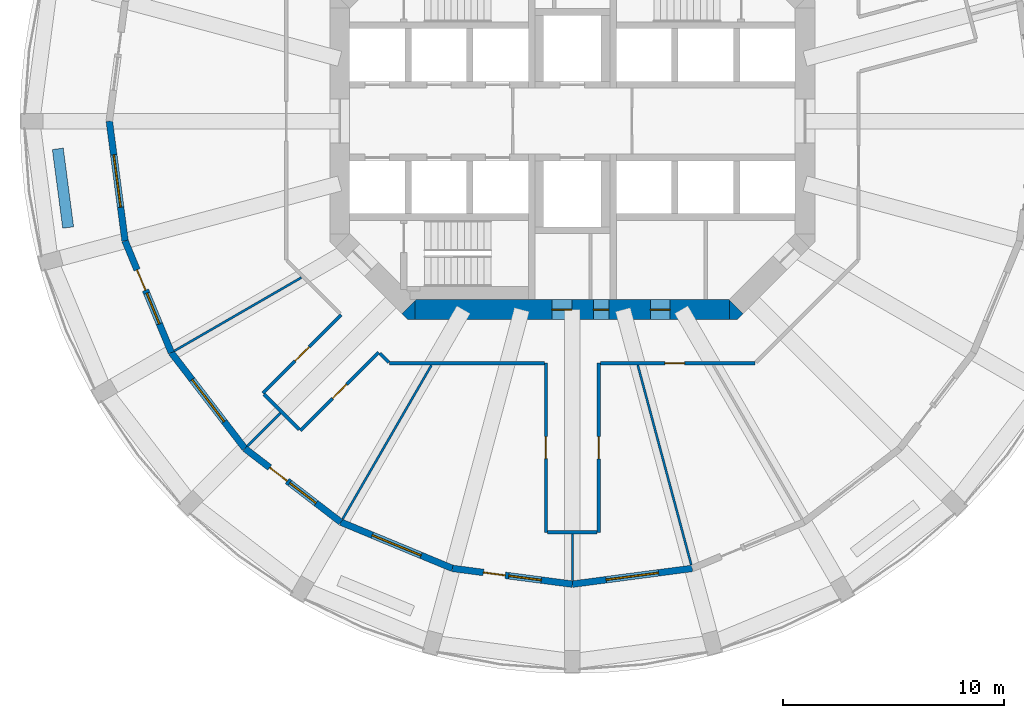
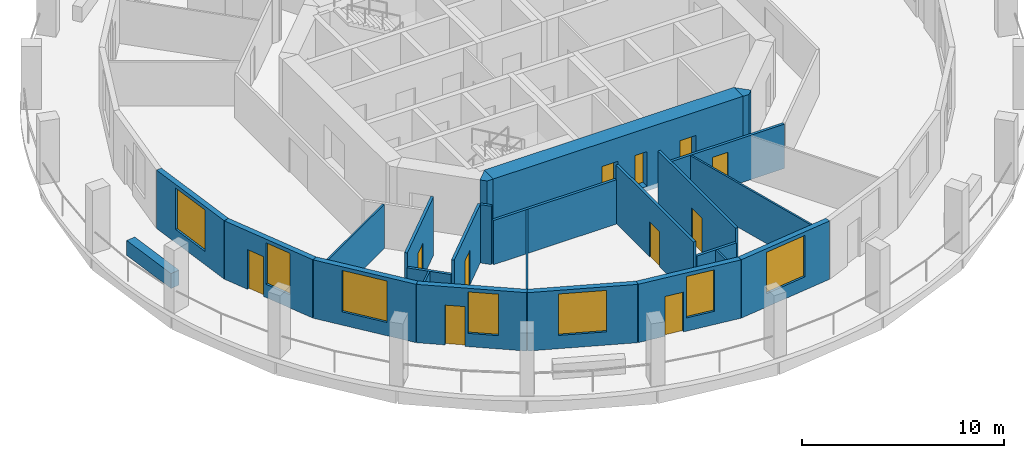
# One storey, part 2 of 8: 25 walls, 11 doors, 7 windows, 18 openings.
"""IFC4 building model written with IfcOpenShell, lengths in metres."""

from ifc_helpers import new_model, si_unit, direction, frame, frame_2d, origin, place, context, subcontext, project, spatial, polyline, rectangle, outline, extrude, material, layer, layer_set, type_object, element, fill, save


model = new_model("IFC4")

# Units and contexts
model_context = context("Model", 3, precision=1e-05, world=origin(), true_north=direction((0.0, 1.0)))
body_context = subcontext(model_context, "Body", "Model", "MODEL_VIEW")
ifc_project = project(units=[si_unit("LENGTHUNIT", "METRE"), si_unit("AREAUNIT", "SQUARE_METRE"), si_unit("VOLUMEUNIT", "CUBIC_METRE"), si_unit("PLANEANGLEUNIT", "RADIAN"), si_unit("MASSUNIT", "GRAM", prefix="KILO")], contexts=[model_context])

# Site, building, storey
site_placement = place(None, origin())
site = spatial("IfcSite", under=ifc_project, at=site_placement, CompositionType="ELEMENT")
building_placement = place(site_placement, origin())
building = spatial("IfcBuilding", under=site, at=building_placement, Name="Torre Triforio", CompositionType="ELEMENT")
storey_placement = place(building_placement, frame((0.0, 0.0, 135.199951171875)))
storey = spatial("IfcBuildingStorey", under=building, at=storey_placement, Name="L30", CompositionType="ELEMENT", Elevation=135.199951171875)

# Wall, openings, doors
ifc_material_1 = material(Name="Concrete C60", Category="concrete")
ifc_layer_1 = layer(ifc_material_1, 0.89990234375)
ifc_layer_set_1 = layer_set([ifc_layer_1], Name="Concrete C60")
wall_type_1 = type_object("IfcWallType", Name="Core wall 900 mm C60 EI 120", PredefinedType="SHEAR", material=ifc_layer_set_1)
wall_1_placement = place(storey_placement, frame((-7.1298828125, -8.550048828125, -0.280029296875), z_axis=(0.0, 0.0, 1.0), x_axis=(1.0, 0.0, 0.0)))
wall_1 = element("IfcWall", 1, at=wall_1_placement, inside=storey, type_object=wall_type_1, Name="Core wall", PredefinedType="SHEAR", context=body_context, shape_type="SweptSolid", body=[
    extrude(rectangle(XDim=14.259765625, YDim=0.89990234375, at=frame_2d((7.1298828125, 0.0))), origin(), (0.0, 0.0, 1.0), 3.800048828125),
])
opening_1_placement = place(wall_1_placement, frame((8.080078125, 0.0, 0.280029296875)))
opening_1 = element("IfcOpeningElement", 2, at=opening_1_placement, cuts=wall_1, Name="Opening RISER-S", PredefinedType="OPENING", context=body_context, shape_type="SweptSolid", body=[
    extrude(rectangle(XDim=0.699951171875, YDim=2.10009765625, at=frame_2d((0.35009765625, 1.050048828125))), frame((0.0, 0.4599609375, 0.0), z_axis=(0.0, -1.0, 0.0), x_axis=(1.0, 0.0, 0.0)), (0.0, 0.0, 1.0), 0.919921875),
])
opening_2_placement = place(wall_1_placement, frame((6.205078125, 0.0, 0.280029296875)))
opening_2 = element("IfcOpeningElement", 3, at=opening_2_placement, cuts=wall_1, Name="Opening SW-01B", PredefinedType="OPENING", context=body_context, shape_type="SweptSolid", body=[
    extrude(rectangle(XDim=0.89990234375, YDim=2.10009765625, at=frame_2d((0.449951171875, 1.050048828125))), frame((0.0, 0.4599609375, 0.0), z_axis=(0.0, -1.0, 0.0), x_axis=(1.0, 0.0, 0.0)), (0.0, 0.0, 1.0), 0.919921875),
])
opening_3_placement = place(wall_1_placement, frame((10.66748046875, 0.0, 0.280029296875)))
opening_3 = element("IfcOpeningElement", 4, at=opening_3_placement, cuts=wall_1, Name="Opening SE-01A", PredefinedType="OPENING", context=body_context, shape_type="SweptSolid", body=[
    extrude(rectangle(XDim=0.89990234375, YDim=2.10009765625, at=frame_2d((0.449951171875, 1.050048828125))), frame((0.0, 0.4599609375, 0.0), z_axis=(0.0, -1.0, 0.0), x_axis=(1.0, 0.0, 0.0)), (0.0, 0.0, 1.0), 0.919921875),
])
ifc_material_2 = material(Name="Hollow metal fire door leaf")
door_type_1 = type_object("IfcDoorType", Name="Riser door 700 x 2100 EI 60", OperationType="NOTDEFINED", PredefinedType="DOOR", material=ifc_material_2)
door_1_placement = place(opening_1_placement, origin())
door_1 = element("IfcDoor", 5, at=door_1_placement, inside=storey, type_object=door_type_1, Name="Core door RISER-S", OperationType="SINGLE_SWING_LEFT", OverallHeight=2.10009765625, OverallWidth=0.699951171875, PredefinedType="DOOR", context=body_context, shape_type="SweptSolid", body=[
    extrude(rectangle(XDim=0.699951171875, YDim=2.10009765625, at=frame_2d((0.35009765625, 1.050048828125))), frame((0.0, 0.02490234375, 0.0), z_axis=(0.0, -1.0, 0.0), x_axis=(1.0, 0.0, 0.0)), (0.0, 0.0, 1.0), 0.050048828125),
])
fill(opening_1, door_1)
door_type_2 = type_object("IfcDoorType", Name="Room door 900 x 2100 EI 60", OperationType="NOTDEFINED", PredefinedType="DOOR", material=ifc_material_2)
door_2_placement = place(opening_2_placement, origin())
door_2 = element("IfcDoor", 6, at=door_2_placement, inside=storey, type_object=door_type_2, Name="Core door SW-01", OperationType="SINGLE_SWING_LEFT", OverallHeight=2.10009765625, OverallWidth=0.89990234375, PredefinedType="DOOR", context=body_context, shape_type="SweptSolid", body=[
    extrude(rectangle(XDim=0.89990234375, YDim=2.10009765625, at=frame_2d((0.449951171875, 1.050048828125))), frame((0.0, 0.02490234375, 0.0), z_axis=(0.0, -1.0, 0.0), x_axis=(1.0, 0.0, 0.0)), (0.0, 0.0, 1.0), 0.050048828125),
])
fill(opening_2, door_2)
door_3_placement = place(opening_3_placement, origin())
door_3 = element("IfcDoor", 7, at=door_3_placement, inside=storey, type_object=door_type_2, Name="Core door SE-01", OperationType="SINGLE_SWING_LEFT", OverallHeight=2.10009765625, OverallWidth=0.89990234375, PredefinedType="DOOR", context=body_context, shape_type="SweptSolid", body=[
    extrude(rectangle(XDim=0.89990234375, YDim=2.10009765625, at=frame_2d((0.449951171875, 1.050048828125))), frame((0.0, 0.02490234375, 0.0), z_axis=(0.0, -1.0, 0.0), x_axis=(1.0, 0.0, 0.0)), (0.0, 0.0, 1.0), 0.050048828125),
])
fill(opening_3, door_3)

# Walls
wall_2_placement = place(storey_placement, frame((0.0, 0.0, -0.280029296875)))
element("IfcWall", 8, at=wall_2_placement, inside=storey, type_object=wall_type_1, Name="Core wall", PredefinedType="SHEAR", context=body_context, shape_type="SweptSolid", body=[
    extrude(outline(polyline([(-7.472900390625, -9.0), (-7.736328125, -8.736328125), (-7.1298828125, -8.1298828125), (-7.1298828125, -9.0), (-7.472900390625, -9.0)])), origin(), (0.0, 0.0, 1.0), 3.800048828125),
])
wall_3_placement = place(storey_placement, frame((0.0, 0.0, -0.280029296875)))
element("IfcWall", 9, at=wall_3_placement, inside=storey, type_object=wall_type_1, Name="Core wall", PredefinedType="SHEAR", context=body_context, shape_type="SweptSolid", body=[
    extrude(outline(polyline([(7.472900390625, -9.0), (7.1298828125, -9.0), (7.1298828125, -8.1298828125), (7.736328125, -8.736328125), (7.472900390625, -9.0)])), origin(), (0.0, 0.0, 1.0), 3.800048828125),
])
ifc_material_3 = material(Name="Plasterboard on metal studs")
ifc_layer_2 = layer(ifc_material_3, 0.14990234375)
ifc_layer_set_2 = layer_set([ifc_layer_2], Name="Plasterboard on metal studs")
wall_type_2 = type_object("IfcWallType", Name="Corridor and tenancy wall 150 mm EI 60", PredefinedType="PARTITIONING", material=ifc_layer_set_2)
wall_4_placement = place(storey_placement, frame((-12.39111328125, -13.982177734375, 0.0), z_axis=(0.0, 0.0, 1.0), x_axis=(-0.707106781187, 0.707106781187, 0.0)))
element("IfcWall", 10, at=wall_4_placement, inside=storey, type_object=wall_type_2, Name="Partition 1", PredefinedType="PARTITIONING", context=body_context, shape_type="SweptSolid", body=[
    extrude(rectangle(XDim=2.25, YDim=0.14990234375, at=frame_2d((1.125, 0.0))), origin(), (0.0, 0.0, 1.0), 2.670166015625),
])

# Wall, opening, door
wall_5_placement = place(storey_placement, frame((-14.03515625, -12.338134765625, 0.0), z_axis=(0.0, 0.0, 1.0), x_axis=(0.707106781187, 0.707106781187, 0.0)))
wall_5 = element("IfcWall", 11, at=wall_5_placement, inside=storey, type_object=wall_type_2, Name="Partition 2", PredefinedType="PARTITIONING", context=body_context, shape_type="SweptSolid", body=[
    extrude(rectangle(XDim=5.025634765625, YDim=0.14990234375, at=frame_2d((2.5126953125, 0.0))), origin(), (0.0, 0.0, 1.0), 3.52001953125),
])
opening_4_placement = place(wall_5_placement, frame((2.062744140625, 0.0, 0.0)))
opening_4 = element("IfcOpeningElement", 12, at=opening_4_placement, cuts=wall_5, Name="Opening D2-02", PredefinedType="OPENING", context=body_context, shape_type="SweptSolid", body=[
    extrude(rectangle(XDim=0.89990234375, YDim=2.10009765625, at=frame_2d((0.449951171875, 1.050048828125))), frame((0.0, 0.0849609375, 0.0), z_axis=(0.0, -1.0, 0.0), x_axis=(1.0, 0.0, 0.0)), (0.0, 0.0, 1.0), 0.169921875),
])
ifc_material_4 = material(Name="Timber", Category="wood")
door_type_3 = type_object("IfcDoorType", Name="Door 900 x 2100 single leaf EI 30", OperationType="NOTDEFINED", PredefinedType="DOOR", material=ifc_material_4)
door_4_placement = place(opening_4_placement, origin())
door_4 = element("IfcDoor", 13, at=door_4_placement, inside=storey, type_object=door_type_3, Name="Door D2-02", OperationType="SINGLE_SWING_LEFT", OverallHeight=2.10009765625, OverallWidth=0.89990234375, PredefinedType="DOOR", context=body_context, shape_type="SweptSolid", body=[
    extrude(rectangle(XDim=0.89990234375, YDim=2.10009765625, at=frame_2d((0.449951171875, 1.050048828125))), frame((0.0, 0.02490234375, 0.0), z_axis=(0.0, -1.0, 0.0), x_axis=(1.0, 0.0, 0.0)), (0.0, 0.0, 1.0), 0.050048828125),
])
fill(opening_4, door_4)

wall_6_placement = place(storey_placement, frame((8.291015625, -10.97509765625, 0.0), z_axis=(0.0, 0.0, 1.0), x_axis=(-1.0, 0.0, 0.0)))
wall_6 = element("IfcWall", 14, at=wall_6_placement, inside=storey, type_object=wall_type_2, Name="Partition 24", PredefinedType="PARTITIONING", context=body_context, shape_type="SweptSolid", body=[
    extrude(rectangle(XDim=7.01611328125, YDim=0.14990234375, at=frame_2d((3.508056640625, 0.0))), origin(), (0.0, 0.0, 1.0), 2.670166015625),
])
opening_5_placement = place(wall_6_placement, frame((3.198486328125, 0.0, 0.0)))
opening_5 = element("IfcOpeningElement", 15, at=opening_5_placement, cuts=wall_6, Name="Opening D2-06", PredefinedType="OPENING", context=body_context, shape_type="SweptSolid", body=[
    extrude(rectangle(XDim=0.89990234375, YDim=2.10009765625, at=frame_2d((0.449951171875, 1.050048828125))), frame((0.0, 0.0849609375, 0.0), z_axis=(0.0, -1.0, 0.0), x_axis=(1.0, 0.0, 0.0)), (0.0, 0.0, 1.0), 0.169921875),
])
door_5_placement = place(opening_5_placement, origin())
door_5 = element("IfcDoor", 16, at=door_5_placement, inside=storey, type_object=door_type_3, Name="Door D2-06", OperationType="SINGLE_SWING_LEFT", OverallHeight=2.10009765625, OverallWidth=0.89990234375, PredefinedType="DOOR", context=body_context, shape_type="SweptSolid", body=[
    extrude(rectangle(XDim=0.89990234375, YDim=2.10009765625, at=frame_2d((0.449951171875, 1.050048828125))), frame((0.0, 0.02490234375, 0.0), z_axis=(0.0, -1.0, 0.0), x_axis=(1.0, 0.0, 0.0)), (0.0, 0.0, 1.0), 0.050048828125),
])
fill(opening_5, door_5)

wall_7_placement = place(storey_placement, frame((1.199951171875, -10.97509765625, 0.0), z_axis=(0.0, 0.0, 1.0), x_axis=(0.0, -1.0, 0.0)))
wall_7 = element("IfcWall", 17, at=wall_7_placement, inside=storey, type_object=wall_type_2, Name="Partition 25", PredefinedType="PARTITIONING", context=body_context, shape_type="SweptSolid", body=[
    extrude(rectangle(XDim=7.673583984375, YDim=0.14990234375, at=frame_2d((3.8369140625, 0.0))), origin(), (0.0, 0.0, 1.0), 3.52001953125),
])
opening_6_placement = place(wall_7_placement, frame((3.3369140625, 0.0, 0.0)))
opening_6 = element("IfcOpeningElement", 18, at=opening_6_placement, cuts=wall_7, Name="Opening D2-05", PredefinedType="OPENING", context=body_context, shape_type="SweptSolid", body=[
    extrude(rectangle(XDim=1.0, YDim=2.10009765625, at=frame_2d((0.5, 1.050048828125))), frame((0.0, 0.0849609375, 0.0), z_axis=(0.0, -1.0, 0.0), x_axis=(1.0, 0.0, 0.0)), (0.0, 0.0, 1.0), 0.169921875),
])
door_type_4 = type_object("IfcDoorType", Name="Door 1000 x 2100 single leaf EI 30", OperationType="NOTDEFINED", PredefinedType="DOOR", material=ifc_material_4)
door_6_placement = place(opening_6_placement, origin())
door_6 = element("IfcDoor", 19, at=door_6_placement, inside=storey, type_object=door_type_4, Name="Door D2-05", OperationType="SINGLE_SWING_LEFT", OverallHeight=2.10009765625, OverallWidth=1.0, PredefinedType="DOOR", context=body_context, shape_type="SweptSolid", body=[
    extrude(rectangle(XDim=1.0, YDim=2.10009765625, at=frame_2d((0.5, 1.050048828125))), frame((0.0, 0.02490234375, 0.0), z_axis=(0.0, -1.0, 0.0), x_axis=(1.0, 0.0, 0.0)), (0.0, 0.0, 1.0), 0.050048828125),
])
fill(opening_6, door_6)

# Wall
wall_8_placement = place(storey_placement, frame((1.125, -18.648681640625, 0.0), z_axis=(0.0, 0.0, 1.0), x_axis=(-1.0, 0.0, 0.0)))
element("IfcWall", 20, at=wall_8_placement, inside=storey, type_object=wall_type_2, Name="Partition 26", PredefinedType="PARTITIONING", context=body_context, shape_type="SweptSolid", body=[
    extrude(rectangle(XDim=2.25, YDim=0.14990234375, at=frame_2d((1.125, 0.0))), origin(), (0.0, 0.0, 1.0), 2.670166015625),
])

# Wall, opening, door
wall_9_placement = place(storey_placement, frame((-1.199951171875, -18.648681640625, 0.0), z_axis=(0.0, 0.0, 1.0), x_axis=(0.0, 1.0, 0.0)))
wall_9 = element("IfcWall", 21, at=wall_9_placement, inside=storey, type_object=wall_type_2, Name="Partition 27", PredefinedType="PARTITIONING", context=body_context, shape_type="SweptSolid", body=[
    extrude(rectangle(XDim=7.673583984375, YDim=0.14990234375, at=frame_2d((3.8369140625, 0.0))), origin(), (0.0, 0.0, 1.0), 3.52001953125),
])
opening_7_placement = place(wall_9_placement, frame((3.3369140625, 0.0, 0.0)))
opening_7 = element("IfcOpeningElement", 22, at=opening_7_placement, cuts=wall_9, Name="Opening D2-04", PredefinedType="OPENING", context=body_context, shape_type="SweptSolid", body=[
    extrude(rectangle(XDim=1.0, YDim=2.10009765625, at=frame_2d((0.5, 1.050048828125))), frame((0.0, 0.0849609375, 0.0), z_axis=(0.0, -1.0, 0.0), x_axis=(1.0, 0.0, 0.0)), (0.0, 0.0, 1.0), 0.169921875),
])
door_7_placement = place(opening_7_placement, origin())
door_7 = element("IfcDoor", 23, at=door_7_placement, inside=storey, type_object=door_type_4, Name="Door D2-04", OperationType="SINGLE_SWING_LEFT", OverallHeight=2.10009765625, OverallWidth=1.0, PredefinedType="DOOR", context=body_context, shape_type="SweptSolid", body=[
    extrude(rectangle(XDim=1.0, YDim=2.10009765625, at=frame_2d((0.5, 1.050048828125))), frame((0.0, 0.02490234375, 0.0), z_axis=(0.0, -1.0, 0.0), x_axis=(1.0, 0.0, 0.0)), (0.0, 0.0, 1.0), 0.050048828125),
])
fill(opening_7, door_7)

# Walls
wall_10_placement = place(storey_placement, frame((-1.27490234375, -10.97509765625, 0.0), z_axis=(0.0, 0.0, 1.0), x_axis=(-1.0, 0.0, 0.0)))
element("IfcWall", 24, at=wall_10_placement, inside=storey, type_object=wall_type_2, Name="Partition 28", PredefinedType="PARTITIONING", context=body_context, shape_type="SweptSolid", body=[
    extrude(rectangle(XDim=7.01611328125, YDim=0.14990234375, at=frame_2d((3.508056640625, 0.0))), origin(), (0.0, 0.0, 1.0), 2.670166015625),
])
wall_11_placement = place(storey_placement, frame((-8.327880859375, -10.93798828125, 0.0), z_axis=(0.0, 0.0, 1.0), x_axis=(-0.707106781187, 0.707106781187, 0.0)))
element("IfcWall", 25, at=wall_11_placement, inside=storey, type_object=wall_type_2, Name="Partition 29", PredefinedType="PARTITIONING", context=body_context, shape_type="SweptSolid", body=[
    extrude(rectangle(XDim=0.57080078125, YDim=0.14990234375, at=frame_2d((0.285400390625, 0.0))), origin(), (0.0, 0.0, 1.0), 3.52001953125),
])

# Wall, opening, door
wall_12_placement = place(storey_placement, frame((-8.784423828125, -10.4814453125, 0.0), z_axis=(0.0, 0.0, 1.0), x_axis=(-0.707106781187, -0.707106781187, 0.0)))
wall_12 = element("IfcWall", 26, at=wall_12_placement, inside=storey, type_object=wall_type_2, Name="Partition 30", PredefinedType="PARTITIONING", context=body_context, shape_type="SweptSolid", body=[
    extrude(rectangle(XDim=5.025634765625, YDim=0.14990234375, at=frame_2d((2.5126953125, 0.0))), origin(), (0.0, 0.0, 1.0), 3.52001953125),
])
opening_8_placement = place(wall_12_placement, frame((2.062744140625, 0.0, 0.0)))
opening_8 = element("IfcOpeningElement", 27, at=opening_8_placement, cuts=wall_12, Name="Opening D2-03", PredefinedType="OPENING", context=body_context, shape_type="SweptSolid", body=[
    extrude(rectangle(XDim=0.89990234375, YDim=2.10009765625, at=frame_2d((0.449951171875, 1.050048828125))), frame((0.0, 0.0849609375, 0.0), z_axis=(0.0, -1.0, 0.0), x_axis=(1.0, 0.0, 0.0)), (0.0, 0.0, 1.0), 0.169921875),
])
door_8_placement = place(opening_8_placement, origin())
door_8 = element("IfcDoor", 28, at=door_8_placement, inside=storey, type_object=door_type_3, Name="Door D2-03", OperationType="SINGLE_SWING_LEFT", OverallHeight=2.10009765625, OverallWidth=0.89990234375, PredefinedType="DOOR", context=body_context, shape_type="SweptSolid", body=[
    extrude(rectangle(XDim=0.89990234375, YDim=2.10009765625, at=frame_2d((0.449951171875, 1.050048828125))), frame((0.0, 0.02490234375, 0.0), z_axis=(0.0, -1.0, 0.0), x_axis=(1.0, 0.0, 0.0)), (0.0, 0.0, 1.0), 0.050048828125),
])
fill(opening_8, door_8)

# Walls
ifc_layer_3 = layer(ifc_material_3, 0.10009765625)
ifc_layer_set_3 = layer_set([ifc_layer_3], Name="Plasterboard on metal studs")
wall_type_3 = type_object("IfcWallType", Name="Partition 100 mm board on metal studs", PredefinedType="PARTITIONING", material=ifc_layer_set_3)
wall_13_placement = place(storey_placement, frame((-12.294189453125, -7.097900390625, 0.0), z_axis=(0.0, 0.0, 1.0), x_axis=(-0.866010486135, -0.500025837236, 0.0)))
element("IfcWall", 29, at=wall_13_placement, inside=storey, type_object=wall_type_3, Name="Partition 40", PredefinedType="PARTITIONING", context=body_context, shape_type="SweptSolid", body=[
    extrude(rectangle(XDim=6.640869140625, YDim=0.10009765625, at=frame_2d((3.3203125, 0.0))), origin(), (0.0, 0.0, 1.0), 2.670166015625),
])
wall_14_placement = place(storey_placement, frame((-13.23974609375, -13.23974609375, 0.0), z_axis=(0.0, 0.0, 1.0), x_axis=(-0.707106781187, -0.707106781187, 0.0)))
element("IfcWall", 30, at=wall_14_placement, inside=storey, type_object=wall_type_3, Name="Partition 41", PredefinedType="PARTITIONING", context=body_context, shape_type="SweptSolid", body=[
    extrude(rectangle(XDim=2.113037109375, YDim=0.10009765625, at=frame_2d((1.056640625, 0.0))), origin(), (0.0, 0.0, 1.0), 2.670166015625),
])
wall_15_placement = place(storey_placement, frame((-6.393798828125, -11.07470703125, 0.0), z_axis=(0.0, 0.0, 1.0), x_axis=(-0.500024397361, -0.866011317503, 0.0)))
element("IfcWall", 31, at=wall_15_placement, inside=storey, type_object=wall_type_3, Name="Partition 42", PredefinedType="PARTITIONING", context=body_context, shape_type="SweptSolid", body=[
    extrude(rectangle(XDim=8.048828125, YDim=0.10009765625, at=frame_2d((4.0244140625, 0.0))), origin(), (0.0, 0.0, 1.0), 2.670166015625),
])
wall_16_placement = place(storey_placement, frame((0.0, -18.7236328125, 0.0), z_axis=(0.0, 0.0, 1.0), x_axis=(0.0, -1.0, 0.0)))
element("IfcWall", 32, at=wall_16_placement, inside=storey, type_object=wall_type_3, Name="Partition 43", PredefinedType="PARTITIONING", context=body_context, shape_type="SweptSolid", body=[
    extrude(rectangle(XDim=2.113037109375, YDim=0.10009765625, at=frame_2d((1.056640625, 0.0))), origin(), (0.0, 0.0, 1.0), 2.670166015625),
])
wall_17_placement = place(storey_placement, frame((2.964599609375, -11.064208984375, 0.0), z_axis=(0.0, 0.0, 1.0), x_axis=(0.258812392192, -0.965927608906, 0.0)))
element("IfcWall", 33, at=wall_17_placement, inside=storey, type_object=wall_type_3, Name="Partition 44", PredefinedType="PARTITIONING", context=body_context, shape_type="SweptSolid", body=[
    extrude(rectangle(XDim=9.382080078125, YDim=0.10009765625, at=frame_2d((4.69091796875, 0.0))), origin(), (0.0, 0.0, 1.0), 2.670166015625),
])
ifc_material_5 = material(Name="Limestone cladding", Category="masonry")
ifc_layer_4 = layer(ifc_material_5, 0.10009765625)
ifc_material_6 = material(Name="Concrete C40", Category="concrete")
ifc_layer_5 = layer(ifc_material_6, 0.39990234375)
ifc_layer_set_4 = layer_set([ifc_layer_4, ifc_layer_5], Name="Limestone cladding / Concrete C40")
wall_type_4 = type_object("IfcWallType", Name="Planter wall 500", PredefinedType="PARAPET", material=ifc_layer_set_4)
wall_18_placement = place(storey_placement, frame((-23.335693359375, -1.256591796875, 0.0), z_axis=(0.0, 0.0, 1.0), x_axis=(0.130542222659, -0.991442750795, 0.0)))
element("IfcWall", 34, at=wall_18_placement, inside=storey, type_object=wall_type_4, Name="Planter L30 bay 13", PredefinedType="PARAPET", context=body_context, shape_type="SweptSolid", body=[
    extrude(rectangle(XDim=3.60009765625, YDim=0.5, at=frame_2d((1.800048828125, 0.0))), origin(), (0.0, 0.0, 1.0), 0.900146484375),
])

# Wall, opening, window
ifc_layer_6 = layer(ifc_material_5, 0.10009765625)
ifc_layer_7 = layer(ifc_material_6, 0.199951171875)
ifc_layer_set_5 = layer_set([ifc_layer_6, ifc_layer_7], Name="Limestone cladding / Concrete C40")
wall_type_5 = type_object("IfcWallType", Name="Stone-faced composite wall 300", PredefinedType="STANDARD", material=ifc_layer_set_5)
wall_19_placement = place(storey_placement, frame((-21.0, 0.0, 0.0), z_axis=(0.0, 0.0, 1.0), x_axis=(0.130527087244, -0.991444743541, 0.0)))
wall_19 = element("IfcWall", 35, at=wall_19_placement, inside=storey, type_object=wall_type_5, Name="External wall L30 bay 13", PredefinedType="STANDARD", context=body_context, shape_type="SweptSolid", body=[
    extrude(rectangle(XDim=5.482177734375, YDim=0.300048828125, at=frame_2d((2.7412109375, 0.0))), origin(), (0.0, 0.0, 1.0), 3.52001953125),
])
opening_9_placement = place(wall_19_placement, frame((1.541015625, 0.0, 0.800048828125)))
opening_9 = element("IfcOpeningElement", 36, at=opening_9_placement, cuts=wall_19, Name="Opening D2-W13", PredefinedType="OPENING", context=body_context, shape_type="SweptSolid", body=[
    extrude(rectangle(XDim=2.39990234375, YDim=2.5, at=frame_2d((1.199951171875, 1.25))), frame((0.0, 0.159912109375, 0.0), z_axis=(0.0, -1.0, 0.0), x_axis=(1.0, 0.0, 0.0)), (0.0, 0.0, 1.0), 0.320068359375),
])
ifc_material_7 = material(Name="Aluminium frame with clear double glazing", Category="aluminium")
window_type_1 = type_object("IfcWindowType", Name="Punched window 2400 x 2500", PartitioningType="DOUBLE_PANEL_VERTICAL", PredefinedType="WINDOW", material=ifc_material_7)
window_1_placement = place(opening_9_placement, origin())
window_1 = element("IfcWindow", 37, at=window_1_placement, inside=storey, type_object=window_type_1, Name="Window EWN3 L30 bay 13", OverallHeight=2.5, OverallWidth=2.39990234375, PartitioningType="SINGLE_PANEL", PredefinedType="WINDOW", context=body_context, shape_type="SweptSolid", body=[
    extrude(rectangle(XDim=2.39990234375, YDim=2.5, at=frame_2d((1.199951171875, 1.25))), frame((0.0, 0.030029296875, 0.0), z_axis=(0.0, -1.0, 0.0), x_axis=(1.0, 0.0, 0.0)), (0.0, 0.0, 1.0), 0.06005859375),
])
fill(opening_9, window_1)

# Wall, openings, door, window
wall_20_placement = place(storey_placement, frame((-20.284423828125, -5.435302734375, 0.0), z_axis=(0.0, 0.0, 1.0), x_axis=(0.382688740813, -0.923877333662, 0.0)))
wall_20 = element("IfcWall", 38, at=wall_20_placement, inside=storey, type_object=wall_type_5, Name="External wall L30 bay 14", PredefinedType="STANDARD", context=body_context, shape_type="SweptSolid", body=[
    extrude(rectangle(XDim=5.48193359375, YDim=0.300048828125, at=frame_2d((2.740966796875, 0.0))), origin(), (0.0, 0.0, 1.0), 3.52001953125),
])
opening_10_placement = place(wall_20_placement, frame((1.416015625, 0.0, 0.0)))
opening_10 = element("IfcOpeningElement", 39, at=opening_10_placement, cuts=wall_20, Name="Opening D2-D14", PredefinedType="OPENING", context=body_context, shape_type="SweptSolid", body=[
    extrude(rectangle(XDim=1.0, YDim=2.39990234375, at=frame_2d((0.5, 1.199951171875))), frame((0.0, 0.159912109375, 0.0), z_axis=(0.0, -1.0, 0.0), x_axis=(1.0, 0.0, 0.0)), (0.0, 0.0, 1.0), 0.320068359375),
])
opening_11_placement = place(wall_20_placement, frame((2.566162109375, 0.0, 0.800048828125)))
opening_11 = element("IfcOpeningElement", 40, at=opening_11_placement, cuts=wall_20, Name="Opening D2-W14A", PredefinedType="OPENING", context=body_context, shape_type="SweptSolid", body=[
    extrude(rectangle(XDim=1.5, YDim=2.5, at=frame_2d((0.75, 1.25))), frame((0.0, 0.159912109375, 0.0), z_axis=(0.0, -1.0, 0.0), x_axis=(1.0, 0.0, 0.0)), (0.0, 0.0, 1.0), 0.320068359375),
])
door_type_5 = type_object("IfcDoorType", Name="Loggia door 1000 x 2400", OperationType="NOTDEFINED", PredefinedType="DOOR", material=ifc_material_7)
door_9_placement = place(opening_10_placement, origin())
door_9 = element("IfcDoor", 41, at=door_9_placement, inside=storey, type_object=door_type_5, Name="Loggia door L30 bay 14", OperationType="SINGLE_SWING_LEFT", OverallHeight=2.39990234375, OverallWidth=1.0, PredefinedType="DOOR", context=body_context, shape_type="SweptSolid", body=[
    extrude(rectangle(XDim=1.0, YDim=2.39990234375, at=frame_2d((0.5, 1.199951171875))), frame((0.0, 0.02490234375, 0.0), z_axis=(0.0, -1.0, 0.0), x_axis=(1.0, 0.0, 0.0)), (0.0, 0.0, 1.0), 0.050048828125),
])
fill(opening_10, door_9)
window_type_2 = type_object("IfcWindowType", Name="Side window 1500 x 2500", PartitioningType="SINGLE_PANEL", PredefinedType="WINDOW", material=ifc_material_7)
window_2_placement = place(opening_11_placement, origin())
window_2 = element("IfcWindow", 42, at=window_2_placement, inside=storey, type_object=window_type_2, Name="Side window EWN13 L30 bay 14", OverallHeight=2.5, OverallWidth=1.5, PartitioningType="SINGLE_PANEL", PredefinedType="WINDOW", context=body_context, shape_type="SweptSolid", body=[
    extrude(rectangle(XDim=1.5, YDim=2.5, at=frame_2d((0.75, 1.25))), frame((0.0, 0.030029296875, 0.0), z_axis=(0.0, -1.0, 0.0), x_axis=(1.0, 0.0, 0.0)), (0.0, 0.0, 1.0), 0.06005859375),
])
fill(opening_11, window_2)

# Wall, opening, window
wall_21_placement = place(storey_placement, frame((-18.1865234375, -10.5, 0.0), z_axis=(0.0, 0.0, 1.0), x_axis=(0.608784891166, -0.793335336593, 0.0)))
wall_21 = element("IfcWall", 43, at=wall_21_placement, inside=storey, type_object=wall_type_5, Name="External wall L30 bay 15", PredefinedType="STANDARD", context=body_context, shape_type="SweptSolid", body=[
    extrude(rectangle(XDim=5.482177734375, YDim=0.300048828125, at=frame_2d((2.7412109375, 0.0))), origin(), (0.0, 0.0, 1.0), 3.52001953125),
])
opening_12_placement = place(wall_21_placement, frame((1.541015625, 0.0, 0.800048828125)))
opening_12 = element("IfcOpeningElement", 44, at=opening_12_placement, cuts=wall_21, Name="Opening D2-W15", PredefinedType="OPENING", context=body_context, shape_type="SweptSolid", body=[
    extrude(rectangle(XDim=2.39990234375, YDim=2.5, at=frame_2d((1.199951171875, 1.25))), frame((0.0, 0.159912109375, 0.0), z_axis=(0.0, -1.0, 0.0), x_axis=(1.0, 0.0, 0.0)), (0.0, 0.0, 1.0), 0.320068359375),
])
window_3_placement = place(opening_12_placement, origin())
window_3 = element("IfcWindow", 45, at=window_3_placement, inside=storey, type_object=window_type_1, Name="Window EWN3 L30 bay 15", OverallHeight=2.5, OverallWidth=2.39990234375, PartitioningType="SINGLE_PANEL", PredefinedType="WINDOW", context=body_context, shape_type="SweptSolid", body=[
    extrude(rectangle(XDim=2.39990234375, YDim=2.5, at=frame_2d((1.199951171875, 1.25))), frame((0.0, 0.030029296875, 0.0), z_axis=(0.0, -1.0, 0.0), x_axis=(1.0, 0.0, 0.0)), (0.0, 0.0, 1.0), 0.06005859375),
])
fill(opening_12, window_3)

# Wall, openings, door, window
wall_22_placement = place(storey_placement, frame((-14.84912109375, -14.84912109375, 0.0), z_axis=(0.0, 0.0, 1.0), x_axis=(0.793335336593, -0.608784891166, 0.0)))
wall_22 = element("IfcWall", 46, at=wall_22_placement, inside=storey, type_object=wall_type_5, Name="External wall L30 bay 16", PredefinedType="STANDARD", context=body_context, shape_type="SweptSolid", body=[
    extrude(rectangle(XDim=5.482177734375, YDim=0.300048828125, at=frame_2d((2.7412109375, 0.0))), origin(), (0.0, 0.0, 1.0), 3.52001953125),
])
opening_13_placement = place(wall_22_placement, frame((1.416015625, 0.0, 0.0)))
opening_13 = element("IfcOpeningElement", 47, at=opening_13_placement, cuts=wall_22, Name="Opening D2-D16", PredefinedType="OPENING", context=body_context, shape_type="SweptSolid", body=[
    extrude(rectangle(XDim=1.0, YDim=2.39990234375, at=frame_2d((0.5, 1.199951171875))), frame((0.0, 0.159912109375, 0.0), z_axis=(0.0, -1.0, 0.0), x_axis=(1.0, 0.0, 0.0)), (0.0, 0.0, 1.0), 0.320068359375),
])
opening_14_placement = place(wall_22_placement, frame((2.56591796875, 0.0, 0.800048828125)))
opening_14 = element("IfcOpeningElement", 48, at=opening_14_placement, cuts=wall_22, Name="Opening D2-W16A", PredefinedType="OPENING", context=body_context, shape_type="SweptSolid", body=[
    extrude(rectangle(XDim=1.5, YDim=2.5, at=frame_2d((0.75, 1.25))), frame((0.0, 0.159912109375, 0.0), z_axis=(0.0, -1.0, 0.0), x_axis=(1.0, 0.0, 0.0)), (0.0, 0.0, 1.0), 0.320068359375),
])
door_10_placement = place(opening_13_placement, origin())
door_10 = element("IfcDoor", 49, at=door_10_placement, inside=storey, type_object=door_type_5, Name="Loggia door L30 bay 16", OperationType="SINGLE_SWING_LEFT", OverallHeight=2.39990234375, OverallWidth=1.0, PredefinedType="DOOR", context=body_context, shape_type="SweptSolid", body=[
    extrude(rectangle(XDim=1.0, YDim=2.39990234375, at=frame_2d((0.5, 1.199951171875))), frame((0.0, 0.02490234375, 0.0), z_axis=(0.0, -1.0, 0.0), x_axis=(1.0, 0.0, 0.0)), (0.0, 0.0, 1.0), 0.050048828125),
])
fill(opening_13, door_10)
window_4_placement = place(opening_14_placement, origin())
window_4 = element("IfcWindow", 50, at=window_4_placement, inside=storey, type_object=window_type_2, Name="Side window EWN13 L30 bay 16", OverallHeight=2.5, OverallWidth=1.5, PartitioningType="SINGLE_PANEL", PredefinedType="WINDOW", context=body_context, shape_type="SweptSolid", body=[
    extrude(rectangle(XDim=1.5, YDim=2.5, at=frame_2d((0.75, 1.25))), frame((0.0, 0.030029296875, 0.0), z_axis=(0.0, -1.0, 0.0), x_axis=(1.0, 0.0, 0.0)), (0.0, 0.0, 1.0), 0.06005859375),
])
fill(opening_14, window_4)

# Wall, opening, window
wall_23_placement = place(storey_placement, frame((-10.5, -18.1865234375, 0.0), z_axis=(0.0, 0.0, 1.0), x_axis=(0.923877333662, -0.382688740813, 0.0)))
wall_23 = element("IfcWall", 51, at=wall_23_placement, inside=storey, type_object=wall_type_5, Name="External wall L30 bay 17", PredefinedType="STANDARD", context=body_context, shape_type="SweptSolid", body=[
    extrude(rectangle(XDim=5.48193359375, YDim=0.300048828125, at=frame_2d((2.740966796875, 0.0))), origin(), (0.0, 0.0, 1.0), 3.52001953125),
])
opening_15_placement = place(wall_23_placement, frame((1.541015625, 0.0, 0.800048828125)))
opening_15 = element("IfcOpeningElement", 52, at=opening_15_placement, cuts=wall_23, Name="Opening D2-W17", PredefinedType="OPENING", context=body_context, shape_type="SweptSolid", body=[
    extrude(rectangle(XDim=2.39990234375, YDim=2.5, at=frame_2d((1.199951171875, 1.25))), frame((0.0, 0.159912109375, 0.0), z_axis=(0.0, -1.0, 0.0), x_axis=(1.0, 0.0, 0.0)), (0.0, 0.0, 1.0), 0.320068359375),
])
window_5_placement = place(opening_15_placement, origin())
window_5 = element("IfcWindow", 53, at=window_5_placement, inside=storey, type_object=window_type_1, Name="Window EWN3 L30 bay 17", OverallHeight=2.5, OverallWidth=2.39990234375, PartitioningType="SINGLE_PANEL", PredefinedType="WINDOW", context=body_context, shape_type="SweptSolid", body=[
    extrude(rectangle(XDim=2.39990234375, YDim=2.5, at=frame_2d((1.199951171875, 1.25))), frame((0.0, 0.030029296875, 0.0), z_axis=(0.0, -1.0, 0.0), x_axis=(1.0, 0.0, 0.0)), (0.0, 0.0, 1.0), 0.06005859375),
])
fill(opening_15, window_5)

# Wall, openings, door, window
wall_24_placement = place(storey_placement, frame((-5.435302734375, -20.284423828125, 0.0), z_axis=(0.0, 0.0, 1.0), x_axis=(0.991444743541, -0.130527087244, 0.0)))
wall_24 = element("IfcWall", 54, at=wall_24_placement, inside=storey, type_object=wall_type_5, Name="External wall L30 bay 18", PredefinedType="STANDARD", context=body_context, shape_type="SweptSolid", body=[
    extrude(rectangle(XDim=5.482177734375, YDim=0.300048828125, at=frame_2d((2.7412109375, 0.0))), origin(), (0.0, 0.0, 1.0), 3.52001953125),
])
opening_16_placement = place(wall_24_placement, frame((1.416015625, 0.0, 0.0)))
opening_16 = element("IfcOpeningElement", 55, at=opening_16_placement, cuts=wall_24, Name="Opening D2-D18", PredefinedType="OPENING", context=body_context, shape_type="SweptSolid", body=[
    extrude(rectangle(XDim=1.0, YDim=2.39990234375, at=frame_2d((0.5, 1.199951171875))), frame((0.0, 0.159912109375, 0.0), z_axis=(0.0, -1.0, 0.0), x_axis=(1.0, 0.0, 0.0)), (0.0, 0.0, 1.0), 0.320068359375),
])
opening_17_placement = place(wall_24_placement, frame((2.566162109375, 0.0, 0.800048828125)))
opening_17 = element("IfcOpeningElement", 56, at=opening_17_placement, cuts=wall_24, Name="Opening D2-W18A", PredefinedType="OPENING", context=body_context, shape_type="SweptSolid", body=[
    extrude(rectangle(XDim=1.5, YDim=2.5, at=frame_2d((0.75, 1.25))), frame((0.0, 0.159912109375, 0.0), z_axis=(0.0, -1.0, 0.0), x_axis=(1.0, 0.0, 0.0)), (0.0, 0.0, 1.0), 0.320068359375),
])
door_11_placement = place(opening_16_placement, origin())
door_11 = element("IfcDoor", 57, at=door_11_placement, inside=storey, type_object=door_type_5, Name="Loggia door L30 bay 18", OperationType="SINGLE_SWING_LEFT", OverallHeight=2.39990234375, OverallWidth=1.0, PredefinedType="DOOR", context=body_context, shape_type="SweptSolid", body=[
    extrude(rectangle(XDim=1.0, YDim=2.39990234375, at=frame_2d((0.5, 1.199951171875))), frame((0.0, 0.02490234375, 0.0), z_axis=(0.0, -1.0, 0.0), x_axis=(1.0, 0.0, 0.0)), (0.0, 0.0, 1.0), 0.050048828125),
])
fill(opening_16, door_11)
window_6_placement = place(opening_17_placement, origin())
window_6 = element("IfcWindow", 58, at=window_6_placement, inside=storey, type_object=window_type_2, Name="Side window EWN13 L30 bay 18", OverallHeight=2.5, OverallWidth=1.5, PartitioningType="SINGLE_PANEL", PredefinedType="WINDOW", context=body_context, shape_type="SweptSolid", body=[
    extrude(rectangle(XDim=1.5, YDim=2.5, at=frame_2d((0.75, 1.25))), frame((0.0, 0.030029296875, 0.0), z_axis=(0.0, -1.0, 0.0), x_axis=(1.0, 0.0, 0.0)), (0.0, 0.0, 1.0), 0.06005859375),
])
fill(opening_17, window_6)

# Wall, opening, window
wall_25_placement = place(storey_placement, frame((0.0, -21.0, 0.0), z_axis=(0.0, 0.0, 1.0), x_axis=(0.991444743541, 0.130527087244, 0.0)))
wall_25 = element("IfcWall", 59, at=wall_25_placement, inside=storey, type_object=wall_type_5, Name="External wall L30 bay 19", PredefinedType="STANDARD", context=body_context, shape_type="SweptSolid", body=[
    extrude(rectangle(XDim=5.482177734375, YDim=0.300048828125, at=frame_2d((2.7412109375, 0.0))), origin(), (0.0, 0.0, 1.0), 3.52001953125),
])
opening_18_placement = place(wall_25_placement, frame((1.541015625, 0.0, 0.800048828125)))
opening_18 = element("IfcOpeningElement", 60, at=opening_18_placement, cuts=wall_25, Name="Opening D2-W19", PredefinedType="OPENING", context=body_context, shape_type="SweptSolid", body=[
    extrude(rectangle(XDim=2.39990234375, YDim=2.5, at=frame_2d((1.199951171875, 1.25))), frame((0.0, 0.159912109375, 0.0), z_axis=(0.0, -1.0, 0.0), x_axis=(1.0, 0.0, 0.0)), (0.0, 0.0, 1.0), 0.320068359375),
])
window_7_placement = place(opening_18_placement, origin())
window_7 = element("IfcWindow", 61, at=window_7_placement, inside=storey, type_object=window_type_1, Name="Window EWN3 L30 bay 19", OverallHeight=2.5, OverallWidth=2.39990234375, PartitioningType="SINGLE_PANEL", PredefinedType="WINDOW", context=body_context, shape_type="SweptSolid", body=[
    extrude(rectangle(XDim=2.39990234375, YDim=2.5, at=frame_2d((1.199951171875, 1.25))), frame((0.0, 0.030029296875, 0.0), z_axis=(0.0, -1.0, 0.0), x_axis=(1.0, 0.0, 0.0)), (0.0, 0.0, 1.0), 0.06005859375),
])
fill(opening_18, window_7)

save(model, "model.ifc")
